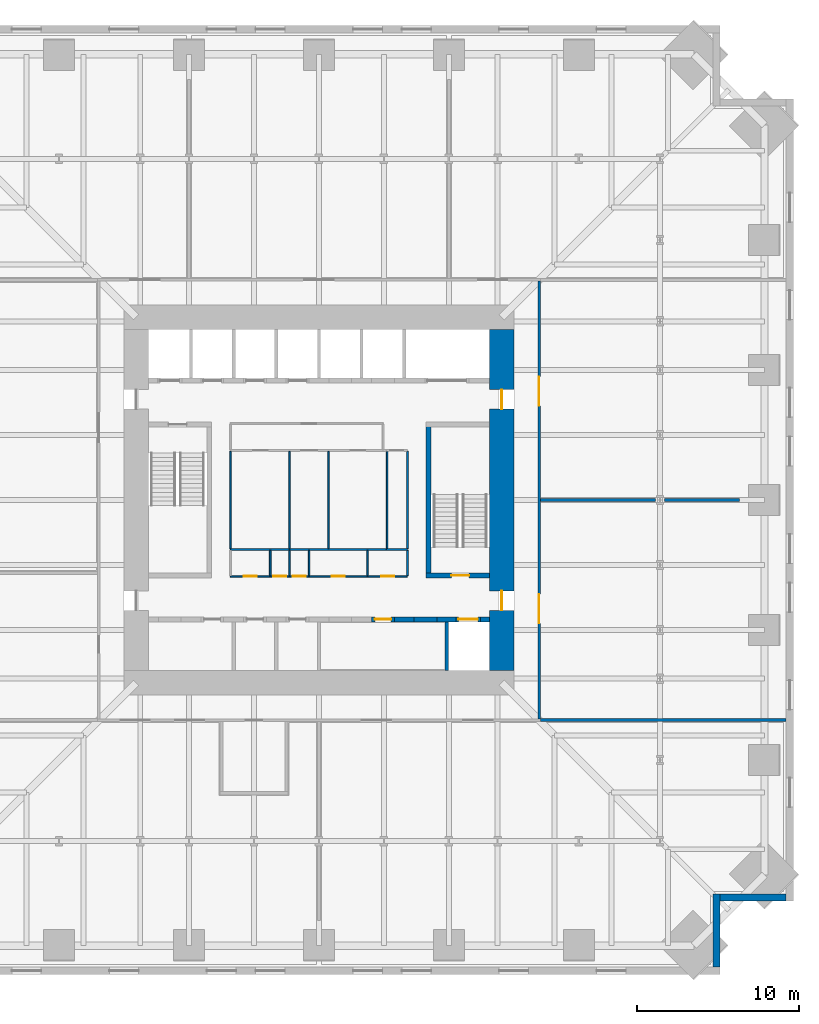
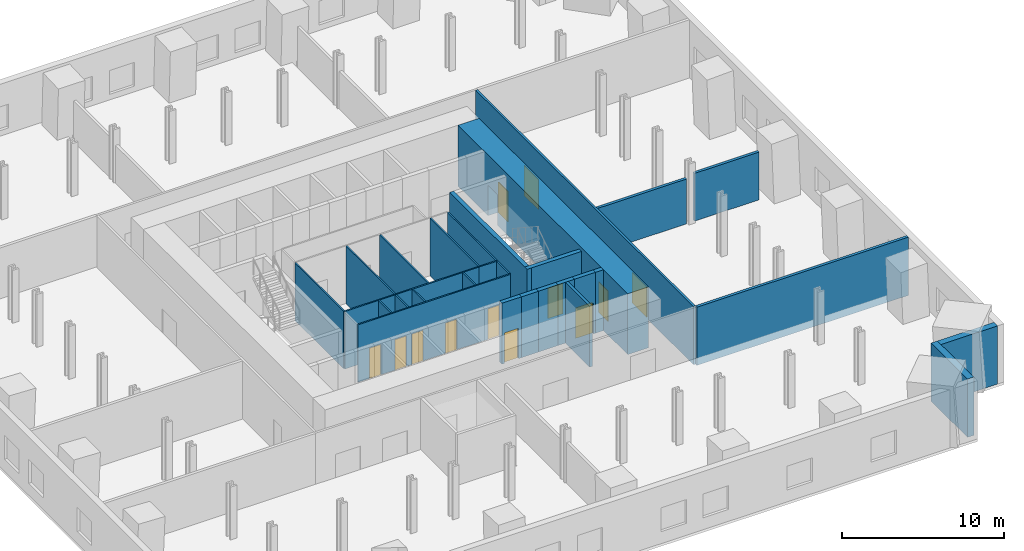
# One storey, part 5 of 8: 29 walls, 12 doors, 12 openings.
"""IFC4 building model written with IfcOpenShell, lengths in metres."""

import ifcopenshell
import ifcopenshell.guid

model = None  # the IFC model being written
_history = None  # IfcOwnerHistory: only IFC2X3 demands one
_inside = {}  # id of a spatial element -> (the spatial element, [elements in it])
_under = {}  # id of a project, library or spatial element -> (it, [spatial elements below it])
_declared = {}  # id of a project -> (the project, [libraries it declares])
_typed = {}  # id of a type object -> (the type object, [elements of that type])
_made_of = {}  # id of a material, layer set ... -> (it, [elements and type objects made of it])


def new_model(schema):
    """Start an empty IFC model of exactly this schema.

    Asked for "IFC4X3", IfcOpenShell would pick the latest addendum, in which some entities
    have other attributes; the version numbers below select the first issue.
    IFC2X3 requires an IfcOwnerHistory on every rooted entity: one is made here for all.
    """
    global model, _history
    if schema == "IFC4X3":
        model = ifcopenshell.file(schema_version=(4, 3, 0, 0))
    else:
        model = ifcopenshell.file(schema=schema)
    _inside.clear()
    _under.clear()
    _declared.clear()
    _typed.clear()
    _made_of.clear()
    _history = None
    if model.schema == "IFC2X3":
        org = make("IfcOrganization", Name="unknown")
        user = make(
            "IfcPersonAndOrganization",
            ThePerson=make("IfcPerson", FamilyName="unknown"),
            TheOrganization=org,
        )
        app = make(
            "IfcApplication",
            ApplicationDeveloper=org,
            Version="unknown",
            ApplicationFullName="unknown",
            ApplicationIdentifier="unknown",
        )
        _history = make(
            "IfcOwnerHistory",
            OwningUser=user,
            OwningApplication=app,
            ChangeAction="ADDED",
            CreationDate=0,
        )
    return model


def make(cls, **values):
    """One entity of the class cls with the attributes given. An attribute that is None is left unset."""
    return model.create_entity(
        cls, **{name: value for name, value in values.items() if value is not None}
    )


def rooted(cls, **values):
    """An entity with a GlobalId (a new one), such as an element, a storey or a relation."""
    return make(cls, GlobalId=ifcopenshell.guid.new(), OwnerHistory=_history, **values)


def si_unit(unit_type, name, prefix=None):
    """IfcSIUnit, for example si_unit("LENGTHUNIT", "METRE", prefix="MILLI")."""
    return make("IfcSIUnit", UnitType=unit_type, Prefix=prefix, Name=name)


def assignment(units):
    """IfcUnitAssignment: the units of a project."""
    return None if units is None else make("IfcUnitAssignment", Units=units)


def point(xyz):
    """IfcCartesianPoint."""
    return None if xyz is None else make("IfcCartesianPoint", Coordinates=xyz)


def direction(xyz):
    """IfcDirection."""
    return None if xyz is None else make("IfcDirection", DirectionRatios=xyz)


def frame(location, z_axis=None, x_axis=None):
    """IfcAxis2Placement3D, a coordinate frame: its origin and axes. An axis left out is left unset."""
    return make(
        "IfcAxis2Placement3D",
        Location=point(location),
        Axis=direction(z_axis),
        RefDirection=direction(x_axis),
    )


def frame_2d(location, x_axis=None):
    """IfcAxis2Placement2D, a coordinate frame in the plane: its origin and x axis."""
    return make(
        "IfcAxis2Placement2D", Location=point(location), RefDirection=direction(x_axis)
    )


def origin():
    """The frame at (0, 0, 0) with its axes left unset."""
    return frame((0.0, 0.0, 0.0))


def place(relative_to, where):
    """IfcLocalPlacement: puts the frame where relative to a parent placement (None: the world)."""
    return make(
        "IfcLocalPlacement", PlacementRelTo=relative_to, RelativePlacement=where
    )


def context(
    kind, dimensions, precision=None, world=None, true_north=None, identifier=None
):
    """IfcGeometricRepresentationContext, for example the 3D "Model" context."""
    return make(
        "IfcGeometricRepresentationContext",
        ContextIdentifier=identifier,
        ContextType=kind,
        CoordinateSpaceDimension=dimensions,
        Precision=precision,
        WorldCoordinateSystem=world,
        TrueNorth=true_north,
    )


def subcontext(parent, identifier, kind, view, scale=None):
    """IfcGeometricRepresentationSubContext, for example "Body" below "Model"."""
    return make(
        "IfcGeometricRepresentationSubContext",
        ContextIdentifier=identifier,
        ContextType=kind,
        ParentContext=parent,
        TargetScale=scale,
        TargetView=view,
    )


def project(units=None, contexts=None):
    """IfcProject with its units and contexts."""
    return rooted(
        "IfcProject",
        Name="project",
        RepresentationContexts=contexts,
        UnitsInContext=assignment(units),
    )


def spatial(cls, under=None, at=None, **own):
    """A site, building, storey or space (cls), placed at a placement, below another one or the project."""
    s = rooted(cls, ObjectPlacement=at, **own)
    if under is not None:
        _under.setdefault(under.id(), (under, []))[1].append(s)
    return s


def profile(cls, at=None, kind="AREA", **sizes):
    """A parametric profile (cls). Its sizes go by their IFC names, for example OverallWidth=200.0."""
    return make(cls, ProfileType=kind, Position=at, **sizes)


def rectangle(**sizes):
    """IfcRectangleProfileDef."""
    return profile("IfcRectangleProfileDef", **sizes)


def extrude(swept, where, along, depth):
    """IfcExtrudedAreaSolid: the profile swept, set in the frame where, extruded along a direction by depth."""
    return make(
        "IfcExtrudedAreaSolid",
        SweptArea=swept,
        Position=where,
        ExtrudedDirection=direction(along),
        Depth=depth,
    )


def shape(context_of_items, identifier, shape_type, items):
    """IfcShapeRepresentation: the items that make up one representation, for example the "Body"."""
    return make(
        "IfcShapeRepresentation",
        ContextOfItems=context_of_items,
        RepresentationIdentifier=identifier,
        RepresentationType=shape_type,
        Items=items,
    )


def material(Name=None, Category=None):
    """IfcMaterial."""
    return make("IfcMaterial", Name=Name, Category=Category)


def layer(
    of_material, thickness, ventilated=None, Name=None, Category=None, Priority=None
):
    """IfcMaterialLayer: one layer of a wall or slab, of a material (None: an air gap)."""
    return make(
        "IfcMaterialLayer",
        Material=of_material,
        LayerThickness=thickness,
        IsVentilated=ventilated,
        Name=Name,
        Category=Category,
        Priority=Priority,
    )


def layer_set(layers, Name=None):
    """IfcMaterialLayerSet."""
    return make("IfcMaterialLayerSet", MaterialLayers=layers, LayerSetName=Name)


def made_of(thing, what):
    """Note that an element or type object is made of a material, layer set ...; save() writes the relation."""
    if what is not None:
        _made_of.setdefault(what.id(), (what, []))[1].append(thing)
    return thing


def type_object(cls, material=None, **own):
    """A type object (cls), such as IfcWallType, which elements share."""
    return made_of(rooted(cls, **own), material)


def element(
    cls,
    number,
    at=None,
    inside=None,
    cuts=None,
    type_object=None,
    material=None,
    context=None,
    identifier="Body",
    shape_type=None,
    held_by="IfcProductDefinitionShape",
    body=None,
    shapes=None,
    **own,
):
    """One element of the class cls, such as IfcWall. Its Tag is "e" and its number.

    at: its placement. inside: the storey or other place that contains it. cuts: it is an
    opening in that element (IfcRelVoidsElement). A single representation is given by context,
    identifier, shape_type and body (its items); several are given by shapes. held_by: the class
    of the entity that holds the representations. save() writes the other relations.
    """
    e = rooted(cls, Tag="e%d" % number, ObjectPlacement=at, **own)
    if body is not None:
        shapes = [shape(context, identifier, shape_type, body)]
    if shapes is not None:
        e.Representation = make(held_by, Representations=shapes)
    if inside is not None:
        _inside.setdefault(inside.id(), (inside, []))[1].append(e)
    if cuts is not None:
        rooted(
            "IfcRelVoidsElement", RelatingBuildingElement=cuts, RelatedOpeningElement=e
        )
    if type_object is not None:
        _typed.setdefault(type_object.id(), (type_object, []))[1].append(e)
    return made_of(e, material)


def fill(opening, filler):
    """IfcRelFillsElement: the door or window that sits in an opening."""
    return rooted(
        "IfcRelFillsElement",
        RelatingOpeningElement=opening,
        RelatedBuildingElement=filler,
    )


def aggregate(whole, parts):
    """IfcRelAggregates: a whole, such as a stair, and the parts it consists of."""
    return rooted("IfcRelAggregates", RelatingObject=whole, RelatedObjects=parts)


def save(model, path):
    """Write the relations noted so far, then the file.

    IfcRelAggregates (storeys below a building ...), IfcRelContainedInSpatialStructure (elements
    in a storey), IfcRelDefinesByType, IfcRelAssociatesMaterial and IfcRelDeclares: one each for
    every whole, place, type object, material and project.
    """
    for whole, parts in _under.values():
        aggregate(whole, parts)
    for where, things in _inside.values():
        rooted(
            "IfcRelContainedInSpatialStructure",
            RelatedElements=things,
            RelatingStructure=where,
        )
    for kind, things in _typed.values():
        rooted("IfcRelDefinesByType", RelatedObjects=things, RelatingType=kind)
    for what, things in _made_of.values():
        rooted("IfcRelAssociatesMaterial", RelatedObjects=things, RelatingMaterial=what)
    for by, libraries in _declared.values():
        rooted("IfcRelDeclares", RelatingContext=by, RelatedDefinitions=libraries)
    model.write(path)


model = new_model("IFC4")

# Units and contexts
model_context = context("Model", 3, precision=1e-05, world=origin(), true_north=direction((0.0, 1.0)))
body_context = subcontext(model_context, "Body", "Model", "MODEL_VIEW")
ifc_project = project(units=[si_unit("LENGTHUNIT", "METRE"), si_unit("AREAUNIT", "SQUARE_METRE"), si_unit("VOLUMEUNIT", "CUBIC_METRE"), si_unit("PLANEANGLEUNIT", "RADIAN"), si_unit("MASSUNIT", "GRAM", prefix="KILO")], contexts=[model_context])

# Site, building, storey
site_placement = place(None, origin())
site = spatial("IfcSite", under=ifc_project, at=site_placement, CompositionType="ELEMENT")
building_placement = place(site_placement, origin())
building = spatial("IfcBuilding", under=site, at=building_placement, Name="Peilmerk Tower", CompositionType="ELEMENT")
storey_placement = place(building_placement, frame((0.0, 0.0, 86.0)))
storey = spatial("IfcBuildingStorey", under=building, at=storey_placement, Name="L16", CompositionType="ELEMENT", Elevation=86.0)

# Walls
ifc_material_1 = material(Name="Precast concrete C45/55, board-marked finish", Category="concrete")
ifc_layer_1 = layer(ifc_material_1, 0.449951171875)
ifc_layer_set_1 = layer_set([ifc_layer_1], Name="Precast concrete C45/55, board-marked finish")
wall_type_1 = type_object("IfcWallType", Name="EW1 450 precast concrete facade wall, board-marked", PredefinedType="SOLIDWALL", material=ifc_layer_set_1)
wall_1_placement = place(storey_placement, frame((24.47509765625, -24.25, 0.0), z_axis=(0.0, 0.0, 1.0), x_axis=(0.0, -1.0, 0.0)))
element("IfcWall", 1, at=wall_1_placement, inside=storey, type_object=wall_type_1, Name="Facade wall SEA L16", PredefinedType="SOLIDWALL", context=body_context, shape_type="SweptSolid", body=[
    extrude(rectangle(XDim=4.5, YDim=0.449951171875, at=frame_2d((2.25, 0.0))), origin(), (0.0, 0.0, 1.0), 4.39990234375),
])
wall_2_placement = place(storey_placement, frame((24.699951171875, -24.47509765625, 0.0), z_axis=(0.0, 0.0, 1.0), x_axis=(1.0, 0.0, 0.0)))
element("IfcWall", 2, at=wall_2_placement, inside=storey, type_object=wall_type_1, Name="Facade wall SEB L16", PredefinedType="SOLIDWALL", context=body_context, shape_type="SweptSolid", body=[
    extrude(rectangle(XDim=4.050048828125, YDim=0.449951171875, at=frame_2d((2.02490234375, 0.0))), origin(), (0.0, 0.0, 1.0), 4.39990234375),
])

# Wall, openings, doors
ifc_material_2 = material(Name="Calcium silicate block", Category="masonry")
ifc_layer_2 = layer(ifc_material_2, 0.14990234375)
ifc_layer_set_2 = layer_set([ifc_layer_2], Name="Calcium silicate block")
wall_type_2 = type_object("IfcWallType", Name="IW1 150 corridor partition, EI 60", PredefinedType="PARTITIONING", material=ifc_layer_set_2)
wall_3_placement = place(storey_placement, frame((13.550048828125, -13.47509765625, 0.0), z_axis=(0.0, 0.0, 1.0), x_axis=(0.0, 1.0, 0.0)))
wall_3 = element("IfcWall", 3, at=wall_3_placement, inside=storey, type_object=wall_type_2, Name="Corridor wall E L16", PredefinedType="PARTITIONING", context=body_context, shape_type="SweptSolid", body=[
    extrude(rectangle(XDim=26.9501953125, YDim=0.14990234375, at=frame_2d((13.47509765625, 0.0))), origin(), (0.0, 0.0, 1.0), 4.39990234375),
])
opening_1_placement = place(wall_3_placement, frame((5.875, 0.0, 0.0)))
opening_1 = element("IfcOpeningElement", 4, at=opening_1_placement, cuts=wall_3, Name="Opening D2", PredefinedType="OPENING", context=body_context, shape_type="SweptSolid", body=[
    extrude(rectangle(XDim=1.800048828125, YDim=2.300048828125, at=frame_2d((0.89990234375, 1.14990234375))), frame((0.0, 0.0849609375, 0.0), z_axis=(0.0, -1.0, 0.0), x_axis=(1.0, 0.0, 0.0)), (0.0, 0.0, 1.0), 0.169921875),
])
opening_2_placement = place(wall_3_placement, frame((19.27490234375, 0.0, 0.0)))
opening_2 = element("IfcOpeningElement", 5, at=opening_2_placement, cuts=wall_3, Name="Opening D2", PredefinedType="OPENING", context=body_context, shape_type="SweptSolid", body=[
    extrude(rectangle(XDim=1.800048828125, YDim=2.300048828125, at=frame_2d((0.89990234375, 1.14990234375))), frame((0.0, 0.0849609375, 0.0), z_axis=(0.0, -1.0, 0.0), x_axis=(1.0, 0.0, 0.0)), (0.0, 0.0, 1.0), 0.169921875),
])
ifc_material_3 = material(Name="Steel door in steel frame", Category="steel")
door_type_1 = type_object("IfcDoorType", Name="D2 1800x2300 double door, EI2 60", OperationType="DOUBLE_DOOR_DOUBLE_SWING", PredefinedType="DOOR", material=ifc_material_3)
door_1_placement = place(opening_1_placement, frame((1.800048828125, 0.0, 0.0), z_axis=(0.0, 0.0, 1.0), x_axis=(-1.0, 0.0, 0.0)))
door_1 = element("IfcDoor", 6, at=door_1_placement, inside=storey, type_object=door_type_1, Name="Door Rectifier room L16", OperationType="DOUBLE_DOOR_DOUBLE_SWING", OverallHeight=2.300048828125, OverallWidth=1.800048828125, PredefinedType="DOOR", context=body_context, shape_type="SweptSolid", body=[
    extrude(rectangle(XDim=1.800048828125, YDim=2.300048828125, at=frame_2d((0.89990234375, 1.14990234375))), frame((0.0, 0.02490234375, 0.0), z_axis=(0.0, -1.0, 0.0), x_axis=(1.0, 0.0, 0.0)), (0.0, 0.0, 1.0), 0.050048828125),
])
fill(opening_1, door_1)
door_2_placement = place(opening_2_placement, frame((1.800048828125, 0.0, 0.0), z_axis=(0.0, 0.0, 1.0), x_axis=(-1.0, 0.0, 0.0)))
door_2 = element("IfcDoor", 7, at=door_2_placement, inside=storey, type_object=door_type_1, Name="Door Battery room L16", OperationType="DOUBLE_DOOR_DOUBLE_SWING", OverallHeight=2.300048828125, OverallWidth=1.800048828125, PredefinedType="DOOR", context=body_context, shape_type="SweptSolid", body=[
    extrude(rectangle(XDim=1.800048828125, YDim=2.300048828125, at=frame_2d((0.89990234375, 1.14990234375))), frame((0.0, 0.02490234375, 0.0), z_axis=(0.0, -1.0, 0.0), x_axis=(1.0, 0.0, 0.0)), (0.0, 0.0, 1.0), 0.050048828125),
])
fill(opening_2, door_2)

# Walls
ifc_layer_3 = layer(ifc_material_2, 0.199951171875)
ifc_layer_set_3 = layer_set([ifc_layer_3], Name="Calcium silicate block")
wall_type_3 = type_object("IfcWallType", Name="IW2 200 room separating wall, EI 120", PredefinedType="PARTITIONING", material=ifc_layer_set_3)
wall_4_placement = place(storey_placement, frame((28.75, -13.550048828125, 0.0), z_axis=(0.0, 0.0, 1.0), x_axis=(-1.0, 0.0, 0.0)))
element("IfcWall", 8, at=wall_4_placement, inside=storey, type_object=wall_type_3, Name="Room separating wall SE L16", PredefinedType="PARTITIONING", context=body_context, shape_type="SweptSolid", body=[
    extrude(rectangle(XDim=15.125, YDim=0.199951171875, at=frame_2d((7.5625, 0.0))), origin(), (0.0, 0.0, 1.0), 4.39990234375),
])
wall_5_placement = place(storey_placement, frame((13.625, 0.0, 0.0), z_axis=(0.0, 0.0, 1.0), x_axis=(1.0, 0.0, 0.0)))
element("IfcWall", 9, at=wall_5_placement, inside=storey, type_object=wall_type_3, Name="Room separating wall E1 L16", PredefinedType="PARTITIONING", context=body_context, shape_type="SweptSolid", body=[
    extrude(rectangle(XDim=7.090576171875, YDim=0.199951171875, at=frame_2d((3.54541015625, 0.0))), origin(), (0.0, 0.0, 1.0), 3.39208984375),
])
wall_6_placement = place(storey_placement, frame((21.284423828125, 0.0, 0.0), z_axis=(0.0, 0.0, 1.0), x_axis=(1.0, 0.0, 0.0)))
element("IfcWall", 10, at=wall_6_placement, inside=storey, type_object=wall_type_3, Name="Room separating wall E1b L16", PredefinedType="PARTITIONING", context=body_context, shape_type="SweptSolid", body=[
    extrude(rectangle(XDim=4.61572265625, YDim=0.199951171875, at=frame_2d((2.307861328125, 0.0))), origin(), (0.0, 0.0, 1.0), 3.610107421875),
])
ifc_material_4 = material(Name="Concrete C35/45", Category="concrete")
ifc_layer_4 = layer(ifc_material_4, 0.300048828125)
ifc_layer_set_4 = layer_set([ifc_layer_4], Name="Concrete C35/45")
wall_type_4 = type_object("IfcWallType", Name="IW3 300 concrete stair enclosure wall, EI 120", PredefinedType="SOLIDWALL", material=ifc_layer_set_4)
wall_7_placement = place(storey_placement, frame((6.75, -4.800048828125, 0.0), z_axis=(0.0, 0.0, 1.0), x_axis=(0.0, 1.0, 0.0)))
element("IfcWall", 11, at=wall_7_placement, inside=storey, type_object=wall_type_4, Name="Stair 2 enclosure L16", PredefinedType="SOLIDWALL", context=body_context, shape_type="SweptSolid", body=[
    extrude(rectangle(XDim=9.60009765625, YDim=0.300048828125, at=frame_2d((4.800048828125, 0.0))), origin(), (0.0, 0.0, 1.0), 4.35009765625),
])

# Wall, opening, door
wall_8_placement = place(storey_placement, frame((10.5, -4.64990234375, 0.0), z_axis=(0.0, 0.0, 1.0), x_axis=(-1.0, 0.0, 0.0)))
wall_8 = element("IfcWall", 12, at=wall_8_placement, inside=storey, type_object=wall_type_4, Name="Stair 2 enclosure L16", PredefinedType="SOLIDWALL", context=body_context, shape_type="SweptSolid", body=[
    extrude(rectangle(XDim=3.89990234375, YDim=0.300048828125, at=frame_2d((1.949951171875, 0.0))), origin(), (0.0, 0.0, 1.0), 4.35009765625),
])
opening_3_placement = place(wall_8_placement, frame((1.25, 0.0, 0.0)))
opening_3 = element("IfcOpeningElement", 13, at=opening_3_placement, cuts=wall_8, Name="Opening D4", PredefinedType="OPENING", context=body_context, shape_type="SweptSolid", body=[
    extrude(rectangle(XDim=1.10009765625, YDim=2.300048828125, at=frame_2d((0.550048828125, 1.14990234375))), frame((0.0, 0.159912109375, 0.0), z_axis=(0.0, -1.0, 0.0), x_axis=(1.0, 0.0, 0.0)), (0.0, 0.0, 1.0), 0.320068359375),
])
door_type_2 = type_object("IfcDoorType", Name="D4 1100x2300 stair door, EI2 60", OperationType="SINGLE_SWING_RIGHT", PredefinedType="DOOR", material=ifc_material_3)
door_3_placement = place(opening_3_placement, frame((1.10009765625, 0.0, 0.0), z_axis=(0.0, 0.0, 1.0), x_axis=(-1.0, 0.0, 0.0)))
door_3 = element("IfcDoor", 14, at=door_3_placement, inside=storey, type_object=door_type_2, Name="Stair 2 door L16", OperationType="SINGLE_SWING_RIGHT", OverallHeight=2.300048828125, OverallWidth=1.10009765625, PredefinedType="DOOR", context=body_context, shape_type="SweptSolid", body=[
    extrude(rectangle(XDim=1.10009765625, YDim=2.300048828125, at=frame_2d((0.550048828125, 1.14990234375))), frame((0.0, 0.02490234375, 0.0), z_axis=(0.0, -1.0, 0.0), x_axis=(1.0, 0.0, 0.0)), (0.0, 0.0, 1.0), 0.050048828125),
])
fill(opening_3, door_3)

# Walls
ifc_material_5 = material(Name="Plasterboard on steel studs", Category="steel")
ifc_layer_5 = layer(ifc_material_5, 0.10009765625)
ifc_layer_set_5 = layer_set([ifc_layer_5], Name="Plasterboard on steel studs")
wall_type_5 = type_object("IfcWallType", Name="IW4 100 WC partition", PredefinedType="PARTITIONING", material=ifc_layer_set_5)
wall_9_placement = place(storey_placement, frame((4.14990234375, -3.050048828125, 0.0), z_axis=(0.0, 0.0, 1.0), x_axis=(-1.0, 0.0, 0.0)))
element("IfcWall", 15, at=wall_9_placement, inside=storey, type_object=wall_type_5, Name="WC wall L16", PredefinedType="PARTITIONING", context=body_context, shape_type="SweptSolid", body=[
    extrude(rectangle(XDim=9.599853515625, YDim=0.10009765625, at=frame_2d((4.7998046875, 0.0))), origin(), (0.0, 0.0, 1.0), 4.35009765625),
])
for number, where, z_axis, x_axis, name in (
    (16, (-5.449951171875, -3.0, 0.0), (0.0, 0.0, 1.0), (0.0, 1.0, 0.0), "WC wall L16"),
    (17, (-1.800048828125, -3.0, 0.0), (0.0, 0.0, 1.0), (0.0, 1.0, 0.0), "WC wall L16"),
    (18, (0.60009765625, -3.0, 0.0), (0.0, 0.0, 1.0), (0.0, 1.0, 0.0), "WC wall L16"),
):
    element("IfcWall", number, at=place(storey_placement, frame(where, z_axis=z_axis, x_axis=x_axis)), inside=storey, type_object=wall_type_5, Name=name, PredefinedType="PARTITIONING", context=body_context, shape_type="SweptSolid", body=[
        extrude(rectangle(XDim=6.0, YDim=0.10009765625, at=frame_2d((3.0, 0.0))), origin(), (0.0, 0.0, 1.0), 4.35009765625),
    ])
ifc_material_6 = material(Name="Calcium silicate board on steel studs", Category="steel")
ifc_layer_6 = layer(ifc_material_6, 0.10009765625)
ifc_layer_set_6 = layer_set([ifc_layer_6], Name="Calcium silicate board on steel studs")
wall_type_6 = type_object("IfcWallType", Name="IW5 100 riser enclosure wall, EI 60", PredefinedType="PARTITIONING", material=ifc_layer_set_6)
wall_10_placement = place(storey_placement, frame((5.449951171875, -3.050048828125, 0.0), z_axis=(0.0, 0.0, 1.0), x_axis=(-1.0, 0.0, 0.0)))
element("IfcWall", 19, at=wall_10_placement, inside=storey, type_object=wall_type_6, Name="Riser wall L16", PredefinedType="PARTITIONING", context=body_context, shape_type="SweptSolid", body=[
    extrude(rectangle(XDim=1.300048828125, YDim=0.10009765625, at=frame_2d((0.64990234375, 0.0))), origin(), (0.0, 0.0, 1.0), 4.35009765625),
])
for number, where, z_axis, x_axis, name in (
    (20, (5.449951171875, 3.0, 0.0), (0.0, 0.0, 1.0), (0.0, -1.0, 0.0), "Riser wall L16"),
    (21, (4.199951171875, -3.0, 0.0), (0.0, 0.0, 1.0), (0.0, 1.0, 0.0), "Riser wall L16"),
):
    element("IfcWall", number, at=place(storey_placement, frame(where, z_axis=z_axis, x_axis=x_axis)), inside=storey, type_object=wall_type_6, Name=name, PredefinedType="PARTITIONING", context=body_context, shape_type="SweptSolid", body=[
        extrude(rectangle(XDim=6.0, YDim=0.10009765625, at=frame_2d((3.0, 0.0))), origin(), (0.0, 0.0, 1.0), 4.35009765625),
    ])

# Wall, openings, doors
wall_11_placement = place(storey_placement, frame((5.449951171875, -4.699951171875, 0.0), z_axis=(0.0, 0.0, 1.0), x_axis=(-1.0, 0.0, 0.0)))
wall_11 = element("IfcWall", 22, at=wall_11_placement, inside=storey, type_object=wall_type_6, Name="Riser wall L16", PredefinedType="PARTITIONING", context=body_context, shape_type="SweptSolid", body=[
    extrude(rectangle(XDim=10.89990234375, YDim=0.10009765625, at=frame_2d((5.449951171875, 0.0))), origin(), (0.0, 0.0, 1.0), 4.35009765625),
])
opening_4_placement = place(wall_11_placement, frame((9.27490234375, 0.0, 0.0)))
opening_4 = element("IfcOpeningElement", 23, at=opening_4_placement, cuts=wall_11, Name="Opening D7", PredefinedType="OPENING", context=body_context, shape_type="SweptSolid", body=[
    extrude(rectangle(XDim=0.800048828125, YDim=2.300048828125, at=frame_2d((0.39990234375, 1.14990234375))), frame((0.0, 0.06005859375, 0.0), z_axis=(0.0, -1.0, 0.0), x_axis=(1.0, 0.0, 0.0)), (0.0, 0.0, 1.0), 0.1201171875),
])
opening_5_placement = place(wall_11_placement, frame((7.449951171875, 0.0, 0.0)))
opening_5 = element("IfcOpeningElement", 24, at=opening_5_placement, cuts=wall_11, Name="Opening D7", PredefinedType="OPENING", context=body_context, shape_type="SweptSolid", body=[
    extrude(rectangle(XDim=0.800048828125, YDim=2.300048828125, at=frame_2d((0.39990234375, 1.14990234375))), frame((0.0, 0.06005859375, 0.0), z_axis=(0.0, -1.0, 0.0), x_axis=(1.0, 0.0, 0.0)), (0.0, 0.0, 1.0), 0.1201171875),
])
opening_6_placement = place(wall_11_placement, frame((6.25, 0.0, 0.0)))
opening_6 = element("IfcOpeningElement", 25, at=opening_6_placement, cuts=wall_11, Name="Opening D7", PredefinedType="OPENING", context=body_context, shape_type="SweptSolid", body=[
    extrude(rectangle(XDim=0.800048828125, YDim=2.300048828125, at=frame_2d((0.39990234375, 1.14990234375))), frame((0.0, 0.06005859375, 0.0), z_axis=(0.0, -1.0, 0.0), x_axis=(1.0, 0.0, 0.0)), (0.0, 0.0, 1.0), 0.1201171875),
])
opening_7_placement = place(wall_11_placement, frame((3.85009765625, 0.0, 0.0)))
opening_7 = element("IfcOpeningElement", 26, at=opening_7_placement, cuts=wall_11, Name="Opening D7", PredefinedType="OPENING", context=body_context, shape_type="SweptSolid", body=[
    extrude(rectangle(XDim=0.800048828125, YDim=2.300048828125, at=frame_2d((0.39990234375, 1.14990234375))), frame((0.0, 0.06005859375, 0.0), z_axis=(0.0, -1.0, 0.0), x_axis=(1.0, 0.0, 0.0)), (0.0, 0.0, 1.0), 0.1201171875),
])
opening_8_placement = place(wall_11_placement, frame((0.824951171875, 0.0, 0.0)))
opening_8 = element("IfcOpeningElement", 27, at=opening_8_placement, cuts=wall_11, Name="Opening D7", PredefinedType="OPENING", context=body_context, shape_type="SweptSolid", body=[
    extrude(rectangle(XDim=0.800048828125, YDim=2.300048828125, at=frame_2d((0.39990234375, 1.14990234375))), frame((0.0, 0.06005859375, 0.0), z_axis=(0.0, -1.0, 0.0), x_axis=(1.0, 0.0, 0.0)), (0.0, 0.0, 1.0), 0.1201171875),
])
door_type_3 = type_object("IfcDoorType", Name="D7 800x2300 riser access door, EI2 60", OperationType="SINGLE_SWING_RIGHT", PredefinedType="DOOR", material=ifc_material_3)
door_4_placement = place(opening_4_placement, frame((0.800048828125, 0.0, 0.0), z_axis=(0.0, 0.0, 1.0), x_axis=(-1.0, 0.0, 0.0)))
door_4 = element("IfcDoor", 28, at=door_4_placement, inside=storey, type_object=door_type_3, Name="Cleaner's cupboard door L16", OperationType="SINGLE_SWING_RIGHT", OverallHeight=2.300048828125, OverallWidth=0.800048828125, PredefinedType="DOOR", context=body_context, shape_type="SweptSolid", body=[
    extrude(rectangle(XDim=0.800048828125, YDim=2.300048828125, at=frame_2d((0.39990234375, 1.14990234375))), frame((0.0, 0.02490234375, 0.0), z_axis=(0.0, -1.0, 0.0), x_axis=(1.0, 0.0, 0.0)), (0.0, 0.0, 1.0), 0.050048828125),
])
fill(opening_4, door_4)
door_5_placement = place(opening_5_placement, frame((0.800048828125, 0.0, 0.0), z_axis=(0.0, 0.0, 1.0), x_axis=(-1.0, 0.0, 0.0)))
door_5 = element("IfcDoor", 29, at=door_5_placement, inside=storey, type_object=door_type_3, Name="Electrical riser door L16", OperationType="SINGLE_SWING_RIGHT", OverallHeight=2.300048828125, OverallWidth=0.800048828125, PredefinedType="DOOR", context=body_context, shape_type="SweptSolid", body=[
    extrude(rectangle(XDim=0.800048828125, YDim=2.300048828125, at=frame_2d((0.39990234375, 1.14990234375))), frame((0.0, 0.02490234375, 0.0), z_axis=(0.0, -1.0, 0.0), x_axis=(1.0, 0.0, 0.0)), (0.0, 0.0, 1.0), 0.050048828125),
])
fill(opening_5, door_5)
door_6_placement = place(opening_6_placement, frame((0.800048828125, 0.0, 0.0), z_axis=(0.0, 0.0, 1.0), x_axis=(-1.0, 0.0, 0.0)))
door_6 = element("IfcDoor", 30, at=door_6_placement, inside=storey, type_object=door_type_3, Name="Data riser door L16", OperationType="SINGLE_SWING_RIGHT", OverallHeight=2.300048828125, OverallWidth=0.800048828125, PredefinedType="DOOR", context=body_context, shape_type="SweptSolid", body=[
    extrude(rectangle(XDim=0.800048828125, YDim=2.300048828125, at=frame_2d((0.39990234375, 1.14990234375))), frame((0.0, 0.02490234375, 0.0), z_axis=(0.0, -1.0, 0.0), x_axis=(1.0, 0.0, 0.0)), (0.0, 0.0, 1.0), 0.050048828125),
])
fill(opening_6, door_6)
door_7_placement = place(opening_7_placement, frame((0.800048828125, 0.0, 0.0), z_axis=(0.0, 0.0, 1.0), x_axis=(-1.0, 0.0, 0.0)))
door_7 = element("IfcDoor", 31, at=door_7_placement, inside=storey, type_object=door_type_3, Name="Comms room door L16", OperationType="SINGLE_SWING_RIGHT", OverallHeight=2.300048828125, OverallWidth=0.800048828125, PredefinedType="DOOR", context=body_context, shape_type="SweptSolid", body=[
    extrude(rectangle(XDim=0.800048828125, YDim=2.300048828125, at=frame_2d((0.39990234375, 1.14990234375))), frame((0.0, 0.02490234375, 0.0), z_axis=(0.0, -1.0, 0.0), x_axis=(1.0, 0.0, 0.0)), (0.0, 0.0, 1.0), 0.050048828125),
])
fill(opening_7, door_7)
door_8_placement = place(opening_8_placement, frame((0.800048828125, 0.0, 0.0), z_axis=(0.0, 0.0, 1.0), x_axis=(-1.0, 0.0, 0.0)))
door_8 = element("IfcDoor", 32, at=door_8_placement, inside=storey, type_object=door_type_3, Name="Water meter room door L16", OperationType="SINGLE_SWING_RIGHT", OverallHeight=2.300048828125, OverallWidth=0.800048828125, PredefinedType="DOOR", context=body_context, shape_type="SweptSolid", body=[
    extrude(rectangle(XDim=0.800048828125, YDim=2.300048828125, at=frame_2d((0.39990234375, 1.14990234375))), frame((0.0, 0.02490234375, 0.0), z_axis=(0.0, -1.0, 0.0), x_axis=(1.0, 0.0, 0.0)), (0.0, 0.0, 1.0), 0.050048828125),
])
fill(opening_8, door_8)

# Walls
for number, where, z_axis, x_axis, name in (
    (33, (5.449951171875, -3.10009765625, 0.0), (0.0, 0.0, 1.0), (0.0, -1.0, 0.0), "Riser wall L16"),
    (34, (-3.0, -3.10009765625, 0.0), (0.0, 0.0, 1.0), (0.0, -1.0, 0.0), "Riser wall L16"),
    (35, (-1.800048828125, -3.10009765625, 0.0), (0.0, 0.0, 1.0), (0.0, -1.0, 0.0), "Riser wall L16"),
    (36, (-0.60009765625, -3.10009765625, 0.0), (0.0, 0.0, 1.0), (0.0, -1.0, 0.0), "Riser wall L16"),
    (37, (3.0, -3.10009765625, 0.0), (0.0, 0.0, 1.0), (0.0, -1.0, 0.0), "Riser wall L16"),
):
    element("IfcWall", number, at=place(storey_placement, frame(where, z_axis=z_axis, x_axis=x_axis)), inside=storey, type_object=wall_type_6, Name=name, PredefinedType="PARTITIONING", context=body_context, shape_type="SweptSolid", body=[
        extrude(rectangle(XDim=1.5498046875, YDim=0.10009765625, at=frame_2d((0.77490234375, 0.0))), origin(), (0.0, 0.0, 1.0), 4.35009765625),
    ])
ifc_layer_7 = layer(ifc_material_2, 0.199951171875)
ifc_layer_set_7 = layer_set([ifc_layer_7], Name="Calcium silicate block")
wall_type_7 = type_object("IfcWallType", Name="SH1 200 shaft dividing wall, EI 120", PredefinedType="PARTITIONING", material=ifc_layer_set_7)
wall_12_placement = place(storey_placement, frame((7.875, -10.5, 0.0), z_axis=(0.0, 0.0, 1.0), x_axis=(0.0, 1.0, 0.0)))
element("IfcWall", 38, at=wall_12_placement, inside=storey, type_object=wall_type_7, Name="Shaft wall S B1 L16", PredefinedType="PARTITIONING", context=body_context, shape_type="SweptSolid", body=[
    extrude(rectangle(XDim=3.0, YDim=0.199951171875, at=frame_2d((1.5, 0.0))), origin(), (0.0, 0.0, 1.0), 4.60009765625),
])

# Wall, opening, door
ifc_layer_8 = layer(ifc_material_2, 0.300048828125)
ifc_layer_set_8 = layer_set([ifc_layer_8], Name="Calcium silicate block")
wall_type_8 = type_object("IfcWallType", Name="SH2 300 lift landing door panel, EI 120", PredefinedType="PARTITIONING", material=ifc_layer_set_8)
wall_13_placement = place(storey_placement, frame((3.237548828125, -7.35009765625, 0.0), z_axis=(0.0, 0.0, 1.0), x_axis=(1.0, 0.0, 0.0)))
wall_13 = element("IfcWall", 39, at=wall_13_placement, inside=storey, type_object=wall_type_8, Name="Lift door panel S B2 L16", PredefinedType="PARTITIONING", context=body_context, shape_type="SweptSolid", body=[
    extrude(rectangle(XDim=1.39990234375, YDim=0.300048828125, at=frame_2d((0.699951171875, 0.0))), origin(), (0.0, 0.0, 1.0), 4.60009765625),
])
opening_9_placement = place(wall_13_placement, frame((0.199951171875, 0.0, 0.0)))
opening_9 = element("IfcOpeningElement", 40, at=opening_9_placement, cuts=wall_13, Name="Opening D10", PredefinedType="OPENING", context=body_context, shape_type="SweptSolid", body=[
    extrude(rectangle(XDim=1.0, YDim=2.300048828125, at=frame_2d((0.5, 1.14990234375))), frame((0.0, 0.159912109375, 0.0), z_axis=(0.0, -1.0, 0.0), x_axis=(1.0, 0.0, 0.0)), (0.0, 0.0, 1.0), 0.320068359375),
])
door_type_4 = type_object("IfcDoorType", Name="D10 1000x2300 core room door, EI2 60", OperationType="SINGLE_SWING_RIGHT", PredefinedType="DOOR", material=ifc_material_3)
door_9_placement = place(opening_9_placement, frame((1.0, 0.0, 0.0), z_axis=(0.0, 0.0, 1.0), x_axis=(-1.0, 0.0, 0.0)))
door_9 = element("IfcDoor", 41, at=door_9_placement, inside=storey, type_object=door_type_4, Name="Door Back-of-house office L16", OperationType="SINGLE_SWING_RIGHT", OverallHeight=2.300048828125, OverallWidth=1.0, PredefinedType="DOOR", context=body_context, shape_type="SweptSolid", body=[
    extrude(rectangle(XDim=1.0, YDim=2.300048828125, at=frame_2d((0.5, 1.14990234375))), frame((0.0, 0.02490234375, 0.0), z_axis=(0.0, -1.0, 0.0), x_axis=(1.0, 0.0, 0.0)), (0.0, 0.0, 1.0), 0.050048828125),
])
fill(opening_9, door_9)

# Wall
wall_14_placement = place(storey_placement, frame((5.862548828125, -7.35009765625, 0.0), z_axis=(0.0, 0.0, 1.0), x_axis=(1.0, 0.0, 0.0)))
element("IfcWall", 42, at=wall_14_placement, inside=storey, type_object=wall_type_8, Name="Lift door panel S B1 L16", PredefinedType="PARTITIONING", context=body_context, shape_type="SweptSolid", body=[
    extrude(rectangle(XDim=1.39990234375, YDim=0.300048828125, at=frame_2d((0.699951171875, 0.0))), origin(), (0.0, 0.0, 1.0), 4.60009765625),
])

# Wall, opening, door
wall_15_placement = place(storey_placement, frame((8.4375, -7.35009765625, 0.0), z_axis=(0.0, 0.0, 1.0), x_axis=(1.0, 0.0, 0.0)))
wall_15 = element("IfcWall", 43, at=wall_15_placement, inside=storey, type_object=wall_type_8, Name="Lift door panel S FL2 L16", PredefinedType="PARTITIONING", context=body_context, shape_type="SweptSolid", body=[
    extrude(rectangle(XDim=1.5, YDim=0.300048828125, at=frame_2d((0.75, 0.0))), origin(), (0.0, 0.0, 1.0), 4.60009765625),
])
opening_10_placement = place(wall_15_placement, frame((0.14990234375, 0.0, 0.0)))
opening_10 = element("IfcOpeningElement", 44, at=opening_10_placement, cuts=wall_15, Name="Opening LD2", PredefinedType="OPENING", context=body_context, shape_type="SweptSolid", body=[
    extrude(rectangle(XDim=1.199951171875, YDim=2.300048828125, at=frame_2d((0.60009765625, 1.14990234375))), frame((0.0, 0.159912109375, 0.0), z_axis=(0.0, -1.0, 0.0), x_axis=(1.0, 0.0, 0.0)), (0.0, 0.0, 1.0), 0.320068359375),
])
ifc_material_7 = material(Name="Stainless steel landing door", Category="steel")
door_type_5 = type_object("IfcDoorType", Name="LD2 1200x2300 lift landing door, sliding, EI2 60", OperationType="SLIDING_TO_LEFT", PredefinedType="DOOR", material=ifc_material_7)
door_10_placement = place(opening_10_placement, origin())
door_10 = element("IfcDoor", 45, at=door_10_placement, inside=storey, type_object=door_type_5, Name="Lift landing door FL2 L16", OperationType="SLIDING_TO_LEFT", OverallHeight=2.300048828125, OverallWidth=1.199951171875, PredefinedType="DOOR", context=body_context, shape_type="SweptSolid", body=[
    extrude(rectangle(XDim=1.199951171875, YDim=2.300048828125, at=frame_2d((0.60009765625, 1.14990234375))), frame((0.0, 0.02490234375, 0.0), z_axis=(0.0, -1.0, 0.0), x_axis=(1.0, 0.0, 0.0)), (0.0, 0.0, 1.0), 0.050048828125),
])
fill(opening_10, door_10)

# Wall, openings, doors
ifc_material_8 = material(Name="Concrete C55/67", Category="concrete")
ifc_layer_9 = layer(ifc_material_8, 1.5)
ifc_layer_set_9 = layer_set([ifc_layer_9], Name="Concrete C55/67")
wall_type_9 = type_object("IfcWallType", Name="SW1 1500 core wall", PredefinedType="SHEAR", material=ifc_layer_set_9)
wall_16_placement = place(storey_placement, frame((11.25, 10.5, 0.0), z_axis=(0.0, 0.0, 1.0), x_axis=(0.0, -1.0, 0.0)))
wall_16 = element("IfcWall", 46, at=wall_16_placement, inside=storey, type_object=wall_type_9, Name="Core wall E L16", PredefinedType="SHEAR", context=body_context, shape_type="SweptSolid", body=[
    extrude(rectangle(XDim=21.0, YDim=1.5, at=frame_2d((10.5, 0.0))), origin(), (0.0, 0.0, 1.0), 4.60009765625),
])
opening_11_placement = place(wall_16_placement, frame((3.699951171875, 0.0, 0.0)))
opening_11 = element("IfcOpeningElement", 47, at=opening_11_placement, cuts=wall_16, Name="Opening D3", PredefinedType="OPENING", context=body_context, shape_type="SweptSolid", body=[
    extrude(rectangle(XDim=1.199951171875, YDim=2.300048828125, at=frame_2d((0.60009765625, 1.14990234375))), frame((0.0, 0.760009765625, 0.0), z_axis=(0.0, -1.0, 0.0), x_axis=(1.0, 0.0, 0.0)), (0.0, 0.0, 1.0), 1.52001953125),
])
opening_12_placement = place(wall_16_placement, frame((16.10009765625, 0.0, 0.0)))
opening_12 = element("IfcOpeningElement", 48, at=opening_12_placement, cuts=wall_16, Name="Opening D3", PredefinedType="OPENING", context=body_context, shape_type="SweptSolid", body=[
    extrude(rectangle(XDim=1.199951171875, YDim=2.300048828125, at=frame_2d((0.60009765625, 1.14990234375))), frame((0.0, 0.760009765625, 0.0), z_axis=(0.0, -1.0, 0.0), x_axis=(1.0, 0.0, 0.0)), (0.0, 0.0, 1.0), 1.52001953125),
])
door_type_6 = type_object("IfcDoorType", Name="D3 1200x2300 core door, EI2 60", OperationType="SINGLE_SWING_LEFT", PredefinedType="DOOR", material=ifc_material_3)
door_11_placement = place(opening_11_placement, frame((1.199951171875, 0.0, 0.0), z_axis=(0.0, 0.0, 1.0), x_axis=(-1.0, 0.0, 0.0)))
door_11 = element("IfcDoor", 49, at=door_11_placement, inside=storey, type_object=door_type_6, Name="Core door L16", OperationType="SINGLE_SWING_LEFT", OverallHeight=2.300048828125, OverallWidth=1.199951171875, PredefinedType="DOOR", context=body_context, shape_type="SweptSolid", body=[
    extrude(rectangle(XDim=1.199951171875, YDim=2.300048828125, at=frame_2d((0.60009765625, 1.14990234375))), frame((0.0, 0.02490234375, 0.0), z_axis=(0.0, -1.0, 0.0), x_axis=(1.0, 0.0, 0.0)), (0.0, 0.0, 1.0), 0.050048828125),
])
fill(opening_11, door_11)
door_12_placement = place(opening_12_placement, frame((1.199951171875, 0.0, 0.0), z_axis=(0.0, 0.0, 1.0), x_axis=(-1.0, 0.0, 0.0)))
door_12 = element("IfcDoor", 50, at=door_12_placement, inside=storey, type_object=door_type_6, Name="Core door L16", OperationType="SINGLE_SWING_LEFT", OverallHeight=2.300048828125, OverallWidth=1.199951171875, PredefinedType="DOOR", context=body_context, shape_type="SweptSolid", body=[
    extrude(rectangle(XDim=1.199951171875, YDim=2.300048828125, at=frame_2d((0.60009765625, 1.14990234375))), frame((0.0, 0.02490234375, 0.0), z_axis=(0.0, -1.0, 0.0), x_axis=(1.0, 0.0, 0.0)), (0.0, 0.0, 1.0), 0.050048828125),
])
fill(opening_12, door_12)

# Walls
ifc_layer_10 = layer(ifc_material_8, 0.300048828125)
ifc_layer_set_10 = layer_set([ifc_layer_10], Name="Concrete C55/67")
wall_type_10 = type_object("IfcWallType", Name="SW2 300 lift bank pier", PredefinedType="SHEAR", material=ifc_layer_set_10)
wall_17_placement = place(storey_placement, frame((4.637451171875, -7.35009765625, 0.0), z_axis=(0.0, 0.0, 1.0), x_axis=(1.0, 0.0, 0.0)))
element("IfcWall", 51, at=wall_17_placement, inside=storey, type_object=wall_type_10, Name="Lift bank pier S L16", PredefinedType="SHEAR", context=body_context, shape_type="SweptSolid", body=[
    extrude(rectangle(XDim=1.22509765625, YDim=0.300048828125, at=frame_2d((0.612548828125, 0.0))), origin(), (0.0, 0.0, 1.0), 4.60009765625),
])
wall_18_placement = place(storey_placement, frame((7.262451171875, -7.35009765625, 0.0), z_axis=(0.0, 0.0, 1.0), x_axis=(1.0, 0.0, 0.0)))
element("IfcWall", 52, at=wall_18_placement, inside=storey, type_object=wall_type_10, Name="Lift bank pier S L16", PredefinedType="SHEAR", context=body_context, shape_type="SweptSolid", body=[
    extrude(rectangle(XDim=1.175048828125, YDim=0.300048828125, at=frame_2d((0.58740234375, 0.0))), origin(), (0.0, 0.0, 1.0), 4.60009765625),
])
wall_19_placement = place(storey_placement, frame((9.9375, -7.35009765625, 0.0), z_axis=(0.0, 0.0, 1.0), x_axis=(1.0, 0.0, 0.0)))
element("IfcWall", 53, at=wall_19_placement, inside=storey, type_object=wall_type_10, Name="Lift bank pier S L16", PredefinedType="SHEAR", context=body_context, shape_type="SweptSolid", body=[
    extrude(rectangle(XDim=0.5625, YDim=0.300048828125, at=frame_2d((0.28125, 0.0))), origin(), (0.0, 0.0, 1.0), 4.60009765625),
])

save(model, "model.ifc")
